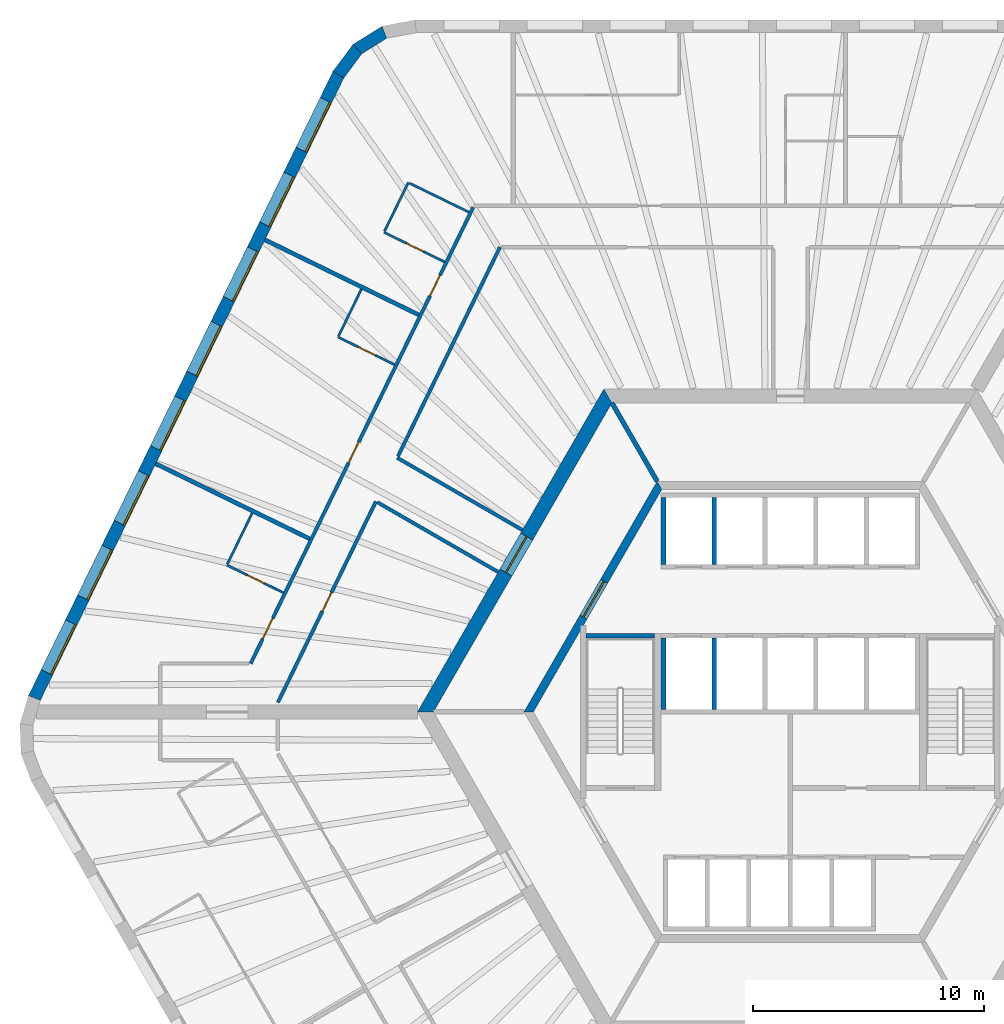
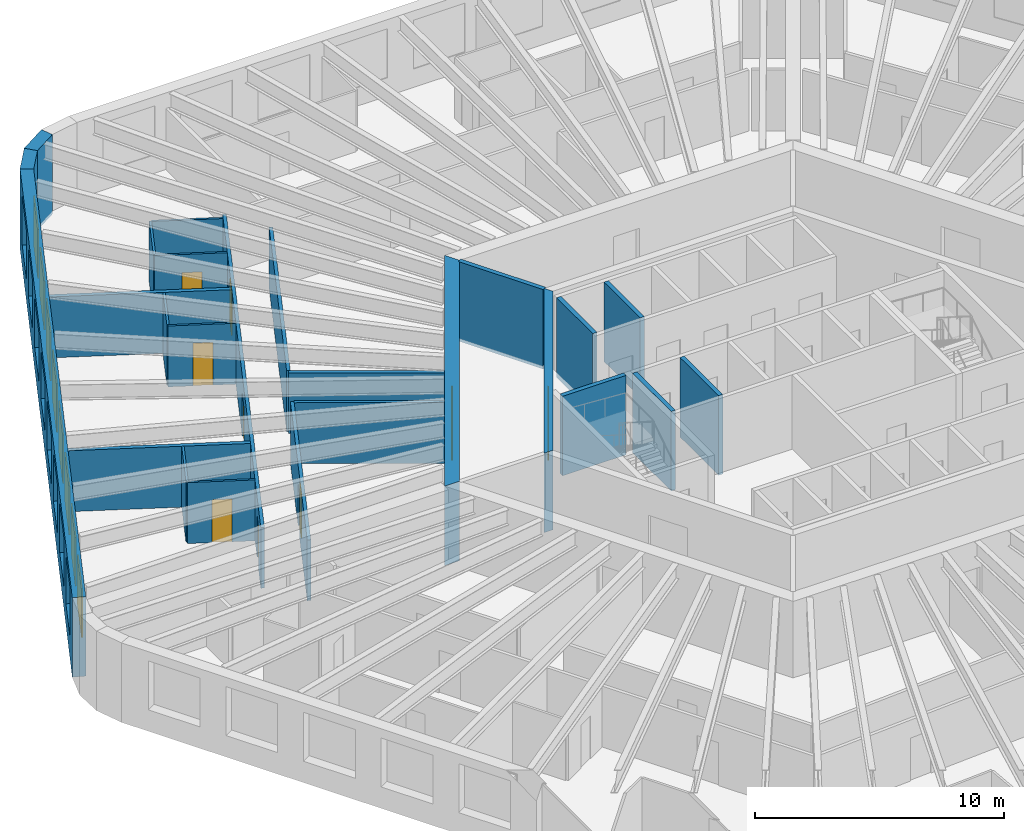
# One storey, part 7 of 12: 25 walls, 9 doors, 8 windows, 17 openings.
"""IFC4 building model written with IfcOpenShell, lengths in metres."""

from ifc_helpers import new_model, si_unit, direction, frame, frame_2d, origin, place, context, subcontext, project, spatial, polyline, rectangle, outline, extrude, material, layer, layer_set, type_object, element, fill, save


model = new_model("IFC4")

# Units and contexts
model_context = context("Model", 3, precision=1e-05, world=origin(), true_north=direction((0.0, 1.0)))
body_context = subcontext(model_context, "Body", "Model", "MODEL_VIEW")
ifc_project = project(units=[si_unit("LENGTHUNIT", "METRE"), si_unit("AREAUNIT", "SQUARE_METRE"), si_unit("VOLUMEUNIT", "CUBIC_METRE"), si_unit("PLANEANGLEUNIT", "RADIAN"), si_unit("MASSUNIT", "GRAM", prefix="KILO")], contexts=[model_context])

# Site, building, storey
site_placement = place(None, origin())
site = spatial("IfcSite", under=ifc_project, at=site_placement, CompositionType="ELEMENT")
building_placement = place(site_placement, origin())
building = spatial("IfcBuilding", under=site, at=building_placement, Name="Tarnside Tower", CompositionType="ELEMENT")
storey_placement = place(building_placement, frame((0.0, 0.0, 64.800048828125)))
storey = spatial("IfcBuildingStorey", under=building, at=storey_placement, Name="L13", CompositionType="ELEMENT", Elevation=64.800048828125)

# Wall, opening, door
ifc_material_1 = material(Name="Gypsum board partition on steel studs", Category="steel")
ifc_layer_1 = layer(ifc_material_1, 0.10009765625)
ifc_layer_set_1 = layer_set([ifc_layer_1], Name="Bathroom wall 100")
wall_type_1 = type_object("IfcWallType", Name="Bathroom wall 100", PredefinedType="PARTITIONING", material=ifc_layer_set_1)
wall_1_placement = place(storey_placement, frame((-14.98876953125, 19.51123046875, 0.0), z_axis=(0.0, 0.0, 1.0), x_axis=(-0.898790906006, 0.438377585285, 0.0)))
wall_1 = element("IfcWall", 1, at=wall_1_placement, inside=storey, type_object=wall_type_1, Name="Bathroom wall 03086", PredefinedType="PARTITIONING", context=body_context, shape_type="SweptSolid", body=[
    extrude(rectangle(XDim=2.925048828125, YDim=0.10009765625, at=frame_2d((1.46240234375, 0.0))), origin(), (0.0, 0.0, 1.0), 2.98779296875),
])
opening_1_placement = place(wall_1_placement, frame((1.02490234375, 0.0, 0.0)))
opening_1 = element("IfcOpeningElement", 2, at=opening_1_placement, cuts=wall_1, Name="Opening D-B1", PredefinedType="OPENING", context=body_context, shape_type="SweptSolid", body=[
    extrude(rectangle(XDim=0.800048828125, YDim=2.10009765625, at=frame_2d((0.39990234375, 1.050048828125))), frame((0.0, 0.06005859375, 0.0), z_axis=(0.0, -1.0, 0.0), x_axis=(1.0, 0.0, 0.0)), (0.0, 0.0, 1.0), 0.1201171875),
])
ifc_material_2 = material(Name="Timber door leaf", Category="wood")
door_type_1 = type_object("IfcDoorType", Name="Bathroom door 800", OperationType="NOTDEFINED", PredefinedType="DOOR", material=ifc_material_2)
door_1_placement = place(opening_1_placement, origin())
door_1 = element("IfcDoor", 3, at=door_1_placement, inside=storey, type_object=door_type_1, Name="Bathroom door 03008", OperationType="SINGLE_SWING_RIGHT", OverallHeight=2.10009765625, OverallWidth=0.800048828125, PredefinedType="DOOR", context=body_context, shape_type="SweptSolid", body=[
    extrude(rectangle(XDim=0.800048828125, YDim=2.10009765625, at=frame_2d((0.39990234375, 1.050048828125))), frame((0.0, 0.02490234375, 0.0), z_axis=(0.0, -1.0, 0.0), x_axis=(1.0, 0.0, 0.0)), (0.0, 0.0, 1.0), 0.050048828125),
])
fill(opening_1, door_1)

# Walls
wall_2_placement = place(storey_placement, frame((-17.595947265625, 20.83837890625, 0.0), z_axis=(0.0, 0.0, 1.0), x_axis=(0.438423632021, 0.898768445644, 0.0)))
element("IfcWall", 4, at=wall_2_placement, inside=storey, type_object=wall_type_1, Name="Bathroom wall 03087", PredefinedType="PARTITIONING", context=body_context, shape_type="SweptSolid", body=[
    extrude(rectangle(XDim=2.349853515625, YDim=0.10009765625, at=frame_2d((1.1748046875, 0.0))), origin(), (0.0, 0.0, 1.0), 2.98779296875),
])
wall_3_placement = place(storey_placement, frame((-16.520751953125, 22.9287109375, 0.0), z_axis=(0.0, 0.0, 1.0), x_axis=(0.898765997266, -0.438428651161, 0.0)))
element("IfcWall", 5, at=wall_3_placement, inside=storey, type_object=wall_type_1, Name="Bathroom wall 03088", PredefinedType="PARTITIONING", context=body_context, shape_type="SweptSolid", body=[
    extrude(rectangle(XDim=2.875, YDim=0.10009765625, at=frame_2d((1.4375, 0.0))), origin(), (0.0, 0.0, 1.0), 2.98779296875),
])

# Wall, opening, door
wall_4_placement = place(storey_placement, frame((-17.160888671875, 15.057861328125, 0.0), z_axis=(0.0, 0.0, 1.0), x_axis=(-0.898791692788, 0.43837597217, 0.0)))
wall_4 = element("IfcWall", 6, at=wall_4_placement, inside=storey, type_object=wall_type_1, Name="Bathroom wall 03091", PredefinedType="PARTITIONING", context=body_context, shape_type="SweptSolid", body=[
    extrude(rectangle(XDim=2.72509765625, YDim=0.10009765625, at=frame_2d((1.362548828125, 0.0))), origin(), (0.0, 0.0, 1.0), 2.98779296875),
])
opening_2_placement = place(wall_4_placement, frame((0.925048828125, 0.0, 0.0)))
opening_2 = element("IfcOpeningElement", 7, at=opening_2_placement, cuts=wall_4, Name="Opening D-B1", PredefinedType="OPENING", context=body_context, shape_type="SweptSolid", body=[
    extrude(rectangle(XDim=0.800048828125, YDim=2.10009765625, at=frame_2d((0.39990234375, 1.050048828125))), frame((0.0, 0.06005859375, 0.0), z_axis=(0.0, -1.0, 0.0), x_axis=(1.0, 0.0, 0.0)), (0.0, 0.0, 1.0), 0.1201171875),
])
door_2_placement = place(opening_2_placement, origin())
door_2 = element("IfcDoor", 8, at=door_2_placement, inside=storey, type_object=door_type_1, Name="Bathroom door 03010", OperationType="SINGLE_SWING_RIGHT", OverallHeight=2.10009765625, OverallWidth=0.800048828125, PredefinedType="DOOR", context=body_context, shape_type="SweptSolid", body=[
    extrude(rectangle(XDim=0.800048828125, YDim=2.10009765625, at=frame_2d((0.39990234375, 1.050048828125))), frame((0.0, 0.02490234375, 0.0), z_axis=(0.0, -1.0, 0.0), x_axis=(1.0, 0.0, 0.0)), (0.0, 0.0, 1.0), 0.050048828125),
])
fill(opening_2, door_2)

# Wall
wall_5_placement = place(storey_placement, frame((-19.588134765625, 16.29736328125, 0.0), z_axis=(0.0, 0.0, 1.0), x_axis=(0.438376807268, 0.898791285477, 0.0)))
element("IfcWall", 9, at=wall_5_placement, inside=storey, type_object=wall_type_1, Name="Bathroom wall 03092", PredefinedType="PARTITIONING", context=body_context, shape_type="SweptSolid", body=[
    extrude(rectangle(XDim=2.260009765625, YDim=0.10009765625, at=frame_2d((1.1298828125, 0.0))), origin(), (0.0, 0.0, 1.0), 2.98779296875),
])

# Wall, opening, door
wall_6_placement = place(storey_placement, frame((-21.98291015625, 5.171142578125, 0.0), z_axis=(0.0, 0.0, 1.0), x_axis=(-0.898791692788, 0.43837597217, 0.0)))
wall_6 = element("IfcWall", 10, at=wall_6_placement, inside=storey, type_object=wall_type_1, Name="Bathroom wall 03095", PredefinedType="PARTITIONING", context=body_context, shape_type="SweptSolid", body=[
    extrude(rectangle(XDim=2.72509765625, YDim=0.10009765625, at=frame_2d((1.362548828125, 0.0))), origin(), (0.0, 0.0, 1.0), 2.98779296875),
])
opening_3_placement = place(wall_6_placement, frame((0.925048828125, 0.0, 0.0)))
opening_3 = element("IfcOpeningElement", 11, at=opening_3_placement, cuts=wall_6, Name="Opening D-B1", PredefinedType="OPENING", context=body_context, shape_type="SweptSolid", body=[
    extrude(rectangle(XDim=0.800048828125, YDim=2.10009765625, at=frame_2d((0.39990234375, 1.050048828125))), frame((0.0, 0.06005859375, 0.0), z_axis=(0.0, -1.0, 0.0), x_axis=(1.0, 0.0, 0.0)), (0.0, 0.0, 1.0), 0.1201171875),
])
door_3_placement = place(opening_3_placement, origin())
door_3 = element("IfcDoor", 12, at=door_3_placement, inside=storey, type_object=door_type_1, Name="Bathroom door 03012", OperationType="SINGLE_SWING_RIGHT", OverallHeight=2.10009765625, OverallWidth=0.800048828125, PredefinedType="DOOR", context=body_context, shape_type="SweptSolid", body=[
    extrude(rectangle(XDim=0.800048828125, YDim=2.10009765625, at=frame_2d((0.39990234375, 1.050048828125))), frame((0.0, 0.02490234375, 0.0), z_axis=(0.0, -1.0, 0.0), x_axis=(1.0, 0.0, 0.0)), (0.0, 0.0, 1.0), 0.050048828125),
])
fill(opening_3, door_3)

# Wall
wall_7_placement = place(storey_placement, frame((-24.41015625, 6.41064453125, 0.0), z_axis=(0.0, 0.0, 1.0), x_axis=(0.438378657462, 0.89879038306, 0.0)))
element("IfcWall", 13, at=wall_7_placement, inside=storey, type_object=wall_type_1, Name="Bathroom wall 03096", PredefinedType="PARTITIONING", context=body_context, shape_type="SweptSolid", body=[
    extrude(rectangle(XDim=2.4599609375, YDim=0.10009765625, at=frame_2d((1.22998046875, 0.0))), origin(), (0.0, 0.0, 1.0), 2.98779296875),
])

# Wall, opening, door
ifc_material_3 = material(Name="Concrete C50/60", Category="concrete")
ifc_layer_2 = layer(ifc_material_3, 0.35009765625)
ifc_layer_set_2 = layer_set([ifc_layer_2], Name="Core block wall 350 C50/60")
wall_type_2 = type_object("IfcWallType", Name="Core block wall 350 C50/60", PredefinedType="SHEAR", material=ifc_layer_set_2)
wall_8_placement = place(storey_placement, frame((-5.672607421875, 9.824951171875, -0.150146484375), z_axis=(0.0, 0.0, 1.0), x_axis=(-0.499995046907, -0.866028263435, 0.0)))
wall_8 = element("IfcWall", 14, at=wall_8_placement, inside=storey, type_object=wall_type_2, Name="L13 core block wall face 2", PredefinedType="SHEAR", context=body_context, shape_type="SweptSolid", body=[
    extrude(outline(polyline([(-0.10107421875, -0.175048828125), (11.44580078125, -0.175048828125), (11.24365234375, 0.175048828125), (0.10107421875, 0.175048828125), (-0.10107421875, -0.175048828125)])), origin(), (0.0, 0.0, 1.0), 3.900146484375),
])
opening_4_placement = place(wall_8_placement, frame((4.80126953125, 0.0, 0.14990234375)))
opening_4 = element("IfcOpeningElement", 15, at=opening_4_placement, cuts=wall_8, Name="Opening CD-LOB", PredefinedType="OPENING", context=body_context, shape_type="SweptSolid", body=[
    extrude(rectangle(XDim=1.800048828125, YDim=2.39990234375, at=frame_2d((0.89990234375, 1.199951171875))), frame((0.0, 0.18505859375, 0.0), z_axis=(0.0, -1.0, 0.0), x_axis=(1.0, 0.0, 0.0)), (0.0, 0.0, 1.0), 0.3701171875),
])
ifc_material_4 = material(Name="Steel fire door", Category="steel")
door_type_2 = type_object("IfcDoorType", Name="Lobby double door FD30S 1800x2400", OperationType="NOTDEFINED", PredefinedType="DOOR", material=ifc_material_4)
door_4_placement = place(opening_4_placement, origin())
door_4 = element("IfcDoor", 16, at=door_4_placement, inside=storey, type_object=door_type_2, Name="L13 lobby block door P1", OperationType="DOUBLE_DOOR_SINGLE_SWING", OverallHeight=2.39990234375, OverallWidth=1.800048828125, PredefinedType="DOOR", context=body_context, shape_type="SweptSolid", body=[
    extrude(rectangle(XDim=1.800048828125, YDim=2.39990234375, at=frame_2d((0.89990234375, 1.199951171875))), frame((0.0, 0.02490234375, 0.0), z_axis=(0.0, -1.0, 0.0), x_axis=(1.0, 0.0, 0.0)), (0.0, 0.0, 1.0), 0.050048828125),
])
fill(opening_4, door_4)

ifc_material_5 = material(Name="Concrete C80/95", Category="concrete")
ifc_layer_3 = layer(ifc_material_5, 0.60009765625)
ifc_layer_set_3 = layer_set([ifc_layer_3], Name="Core wall Z1 600 C80/95")
wall_type_3 = type_object("IfcWallType", Name="Core wall Z1 600 C80/95", PredefinedType="SHEAR", material=ifc_layer_set_3)
wall_9_placement = place(storey_placement, frame((-7.90966796875, 13.699951171875, -0.150146484375), z_axis=(0.0, 0.0, 1.0), x_axis=(-0.499999880136, -0.866025472988, 0.0)))
wall_9 = element("IfcWall", 17, at=wall_9_placement, inside=storey, type_object=wall_type_3, Name="L13 core wall face 2", PredefinedType="SHEAR", context=body_context, shape_type="SweptSolid", body=[
    extrude(outline(polyline([(-0.17333984375, -0.300048828125), (15.99267578125, -0.300048828125), (15.64599609375, 0.300048828125), (0.17333984375, 0.300048828125), (-0.17333984375, -0.300048828125)])), origin(), (0.0, 0.0, 1.0), 3.900146484375),
])
opening_5_placement = place(wall_9_placement, frame((7.03857421875, 0.0, 0.14990234375)))
opening_5 = element("IfcOpeningElement", 18, at=opening_5_placement, cuts=wall_9, Name="Opening CD-LOB", PredefinedType="OPENING", context=body_context, shape_type="SweptSolid", body=[
    extrude(rectangle(XDim=1.800048828125, YDim=2.39990234375, at=frame_2d((0.89990234375, 1.199951171875))), frame((0.0, 0.31005859375, 0.0), z_axis=(0.0, -1.0, 0.0), x_axis=(1.0, 0.0, 0.0)), (0.0, 0.0, 1.0), 0.6201171875),
])
door_5_placement = place(opening_5_placement, origin())
door_5 = element("IfcDoor", 19, at=door_5_placement, inside=storey, type_object=door_type_2, Name="L13 core door P1", OperationType="DOUBLE_DOOR_SINGLE_SWING", OverallHeight=2.39990234375, OverallWidth=1.800048828125, PredefinedType="DOOR", context=body_context, shape_type="SweptSolid", body=[
    extrude(rectangle(XDim=1.800048828125, YDim=2.39990234375, at=frame_2d((0.89990234375, 1.199951171875))), frame((0.0, 0.02490234375, 0.0), z_axis=(0.0, -1.0, 0.0), x_axis=(1.0, 0.0, 0.0)), (0.0, 0.0, 1.0), 0.050048828125),
])
fill(opening_5, door_5)

# Wall, openings, doors
ifc_layer_4 = layer(ifc_material_1, 0.14990234375)
ifc_layer_set_4 = layer_set([ifc_layer_4], Name="Corridor wall 150 EI 60")
wall_type_4 = type_object("IfcWallType", Name="Corridor wall 150 EI 60", PredefinedType="PARTITIONING", material=ifc_layer_set_4)
wall_10_placement = place(storey_placement, frame((-13.75244140625, 21.875, 0.0), z_axis=(0.0, 0.0, 1.0), x_axis=(-0.438376846054, -0.898791266559, 0.0)))
wall_10 = element("IfcWall", 20, at=wall_10_placement, inside=storey, type_object=wall_type_4, Name="Corridor wall 03007", PredefinedType="PARTITIONING", context=body_context, shape_type="SweptSolid", body=[
    extrude(rectangle(XDim=22.001708984375, YDim=0.14990234375, at=frame_2d((11.0009765625, 0.0))), origin(), (0.0, 0.0, 1.0), 2.98779296875),
])
opening_6_placement = place(wall_10_placement, frame((3.26904296875, 0.0, 0.0)))
opening_6 = element("IfcOpeningElement", 21, at=opening_6_placement, cuts=wall_10, Name="Opening D-E1", PredefinedType="OPENING", context=body_context, shape_type="SweptSolid", body=[
    extrude(rectangle(XDim=1.0, YDim=2.10009765625, at=frame_2d((0.5, 1.050048828125))), frame((0.0, 0.0849609375, 0.0), z_axis=(0.0, -1.0, 0.0), x_axis=(1.0, 0.0, 0.0)), (0.0, 0.0, 1.0), 0.169921875),
])
opening_7_placement = place(wall_10_placement, frame((11.3212890625, 0.0, 0.0)))
opening_7 = element("IfcOpeningElement", 22, at=opening_7_placement, cuts=wall_10, Name="Opening D-E1", PredefinedType="OPENING", context=body_context, shape_type="SweptSolid", body=[
    extrude(rectangle(XDim=1.0, YDim=2.10009765625, at=frame_2d((0.5, 1.050048828125))), frame((0.0, 0.0849609375, 0.0), z_axis=(0.0, -1.0, 0.0), x_axis=(1.0, 0.0, 0.0)), (0.0, 0.0, 1.0), 0.169921875),
])
opening_8_placement = place(wall_10_placement, frame((19.8115234375, 0.0, 0.0)))
opening_8 = element("IfcOpeningElement", 23, at=opening_8_placement, cuts=wall_10, Name="Opening D-E1", PredefinedType="OPENING", context=body_context, shape_type="SweptSolid", body=[
    extrude(rectangle(XDim=1.0, YDim=2.10009765625, at=frame_2d((0.5, 1.050048828125))), frame((0.0, 0.0849609375, 0.0), z_axis=(0.0, -1.0, 0.0), x_axis=(1.0, 0.0, 0.0)), (0.0, 0.0, 1.0), 0.169921875),
])
door_type_3 = type_object("IfcDoorType", Name="Unit entrance door 1000 FD30S", OperationType="NOTDEFINED", PredefinedType="DOOR", material=ifc_material_2)
door_6_placement = place(opening_6_placement, origin())
door_6 = element("IfcDoor", 24, at=door_6_placement, inside=storey, type_object=door_type_3, Name="Unit door 03007", OperationType="SINGLE_SWING_LEFT", OverallHeight=2.10009765625, OverallWidth=1.0, PredefinedType="DOOR", context=body_context, shape_type="SweptSolid", body=[
    extrude(rectangle(XDim=1.0, YDim=2.10009765625, at=frame_2d((0.5, 1.050048828125))), frame((0.0, 0.02490234375, 0.0), z_axis=(0.0, -1.0, 0.0), x_axis=(1.0, 0.0, 0.0)), (0.0, 0.0, 1.0), 0.050048828125),
])
fill(opening_6, door_6)
door_7_placement = place(opening_7_placement, origin())
door_7 = element("IfcDoor", 25, at=door_7_placement, inside=storey, type_object=door_type_3, Name="Unit door 03009", OperationType="SINGLE_SWING_LEFT", OverallHeight=2.10009765625, OverallWidth=1.0, PredefinedType="DOOR", context=body_context, shape_type="SweptSolid", body=[
    extrude(rectangle(XDim=1.0, YDim=2.10009765625, at=frame_2d((0.5, 1.050048828125))), frame((0.0, 0.02490234375, 0.0), z_axis=(0.0, -1.0, 0.0), x_axis=(1.0, 0.0, 0.0)), (0.0, 0.0, 1.0), 0.050048828125),
])
fill(opening_7, door_7)
door_8_placement = place(opening_8_placement, origin())
door_8 = element("IfcDoor", 26, at=door_8_placement, inside=storey, type_object=door_type_3, Name="Unit door 03011", OperationType="SINGLE_SWING_RIGHT", OverallHeight=2.10009765625, OverallWidth=1.0, PredefinedType="DOOR", context=body_context, shape_type="SweptSolid", body=[
    extrude(rectangle(XDim=1.0, YDim=2.10009765625, at=frame_2d((0.5, 1.050048828125))), frame((0.0, 0.02490234375, 0.0), z_axis=(0.0, -1.0, 0.0), x_axis=(1.0, 0.0, 0.0)), (0.0, 0.0, 1.0), 0.050048828125),
])
fill(opening_8, door_8)

# Walls
wall_11_placement = place(storey_placement, frame((-11.61376953125, 7.88427734375, 0.0), z_axis=(0.0, 0.0, 1.0), x_axis=(-0.866025438137, 0.4999999405, 0.0)))
element("IfcWall", 27, at=wall_11_placement, inside=storey, type_object=wall_type_4, Name="Corridor wall 03017", PredefinedType="PARTITIONING", context=body_context, shape_type="SweptSolid", body=[
    extrude(rectangle(XDim=6.2705078125, YDim=0.14990234375, at=frame_2d((3.13525390625, 0.0))), origin(), (0.0, 0.0, 1.0), 2.98779296875),
])
wall_12_placement = place(storey_placement, frame((-17.01123046875, 11.087158203125, 0.0), z_axis=(0.0, 0.0, 1.0), x_axis=(0.43836877185, 0.898795204631, 0.0)))
element("IfcWall", 28, at=wall_12_placement, inside=storey, type_object=wall_type_4, Name="Corridor wall 03018", PredefinedType="PARTITIONING", context=body_context, shape_type="SweptSolid", body=[
    extrude(rectangle(XDim=10.083251953125, YDim=0.14990234375, at=frame_2d((5.04150390625, 0.0))), origin(), (0.0, 0.0, 1.0), 2.98779296875),
])

# Wall, opening, door
wall_13_placement = place(storey_placement, frame((-22.218994140625, 0.41015625, 0.0), z_axis=(0.0, 0.0, 1.0), x_axis=(0.438391891827, 0.898783927972, 0.0)))
wall_13 = element("IfcWall", 29, at=wall_13_placement, inside=storey, type_object=wall_type_4, Name="Corridor wall 03024", PredefinedType="PARTITIONING", context=body_context, shape_type="SweptSolid", body=[
    extrude(rectangle(XDim=9.698974609375, YDim=0.14990234375, at=frame_2d((4.849609375, 0.0))), origin(), (0.0, 0.0, 1.0), 2.98779296875),
])
opening_9_placement = place(wall_13_placement, frame((4.399658203125, 0.0, 0.0)))
opening_9 = element("IfcOpeningElement", 30, at=opening_9_placement, cuts=wall_13, Name="Opening D-S1", PredefinedType="OPENING", context=body_context, shape_type="SweptSolid", body=[
    extrude(rectangle(XDim=0.89990234375, YDim=2.10009765625, at=frame_2d((0.449951171875, 1.050048828125))), frame((0.0, 0.0849609375, 0.0), z_axis=(0.0, -1.0, 0.0), x_axis=(1.0, 0.0, 0.0)), (0.0, 0.0, 1.0), 0.169921875),
])
door_type_4 = type_object("IfcDoorType", Name="Service room door 900 FD30S", OperationType="NOTDEFINED", PredefinedType="DOOR", material=ifc_material_2)
door_9_placement = place(opening_9_placement, origin())
door_9 = element("IfcDoor", 31, at=door_9_placement, inside=storey, type_object=door_type_4, Name="Service door 03041", OperationType="SINGLE_SWING_LEFT", OverallHeight=2.10009765625, OverallWidth=0.89990234375, PredefinedType="DOOR", context=body_context, shape_type="SweptSolid", body=[
    extrude(rectangle(XDim=0.89990234375, YDim=2.10009765625, at=frame_2d((0.449951171875, 1.050048828125))), frame((0.0, 0.02490234375, 0.0), z_axis=(0.0, -1.0, 0.0), x_axis=(1.0, 0.0, 0.0)), (0.0, 0.0, 1.0), 0.050048828125),
])
fill(opening_9, door_9)

# Walls
wall_14_placement = place(storey_placement, frame((-17.902099609375, 9.08984375, 0.0), z_axis=(0.0, 0.0, 1.0), x_axis=(0.866036368755, -0.499981007633, 0.0)))
element("IfcWall", 32, at=wall_14_placement, inside=storey, type_object=wall_type_4, Name="Corridor wall 03025", PredefinedType="PARTITIONING", context=body_context, shape_type="SweptSolid", body=[
    extrude(rectangle(XDim=6.048583984375, YDim=0.14990234375, at=frame_2d((3.0244140625, 0.0))), origin(), (0.0, 0.0, 1.0), 2.98779296875),
])
ifc_layer_5 = layer(ifc_material_1, 0.179931640625)
ifc_layer_set_5 = layer_set([ifc_layer_5], Name="Demising wall 180 EI 60")
wall_type_5 = type_object("IfcWallType", Name="Demising wall 180 EI 60", PredefinedType="PARTITIONING", material=ifc_layer_set_5)
wall_15_placement = place(storey_placement, frame((-22.7822265625, 20.469970703125, 0.0), z_axis=(0.0, 0.0, 1.0), x_axis=(0.898783297359, -0.438393184697, 0.0)))
element("IfcWall", 33, at=wall_15_placement, inside=storey, type_object=wall_type_5, Name="Demising wall 03089", PredefinedType="PARTITIONING", context=body_context, shape_type="SweptSolid", body=[
    extrude(rectangle(XDim=7.425048828125, YDim=0.179931640625, at=frame_2d((3.71240234375, 0.0))), origin(), (0.0, 0.0, 1.0), 2.98779296875),
])
wall_16_placement = place(storey_placement, frame((-27.5166015625, 10.762939453125, 0.0), z_axis=(0.0, 0.0, 1.0), x_axis=(0.898789933843, -0.438379578473, 0.0)))
element("IfcWall", 34, at=wall_16_placement, inside=storey, type_object=wall_type_5, Name="Demising wall 03093", PredefinedType="PARTITIONING", context=body_context, shape_type="SweptSolid", body=[
    extrude(rectangle(XDim=7.4248046875, YDim=0.179931640625, at=frame_2d((3.71240234375, 0.0))), origin(), (0.0, 0.0, 1.0), 2.98779296875),
])
ifc_material_6 = material(Name="Concrete C40/50", Category="concrete")
ifc_layer_6 = layer(ifc_material_6, 0.199951171875)
ifc_layer_set_6 = layer_set([ifc_layer_6], Name="Lift shaft wall 200 C40/50")
wall_type_6 = type_object("IfcWallType", Name="Lift shaft wall 200 C40/50", PredefinedType="SHEAR", material=ifc_layer_set_6)
for number, where, z_axis, x_axis, name in (
    (35, (-5.5, 6.39990234375, -0.25), (0.0, 0.0, 1.0), (0.0, 1.0, 0.0), "L13 lift shaft partition R11"),
    (36, (-3.300048828125, 6.39990234375, -0.25), (0.0, 0.0, 1.0), (0.0, 1.0, 0.0), "L13 lift shaft partition R12"),
):
    element("IfcWall", number, at=place(storey_placement, frame(where, z_axis=z_axis, x_axis=x_axis)), inside=storey, type_object=wall_type_6, Name=name, PredefinedType="SHEAR", context=body_context, shape_type="SweptSolid", body=[
        extrude(rectangle(XDim=2.900146484375, YDim=0.199951171875, at=frame_2d((1.4501953125, 0.0))), origin(), (0.0, 0.0, 1.0), 3.89990234375),
    ])
for number, where, z_axis, x_axis, name in (
    (37, (-5.5, 0.10009765625, -0.25), (0.0, 0.0, 1.0), (0.0, 1.0, 0.0), "L13 lift shaft partition R21"),
    (38, (-3.300048828125, 0.10009765625, -0.25), (0.0, 0.0, 1.0), (0.0, 1.0, 0.0), "L13 lift shaft partition R22"),
):
    element("IfcWall", number, at=place(storey_placement, frame(where, z_axis=z_axis, x_axis=x_axis)), inside=storey, type_object=wall_type_6, Name=name, PredefinedType="SHEAR", context=body_context, shape_type="SweptSolid", body=[
        extrude(rectangle(XDim=3.099853515625, YDim=0.199951171875, at=frame_2d((1.5498046875, 0.0))), origin(), (0.0, 0.0, 1.0), 3.89990234375),
    ])
wall_17_placement = place(storey_placement, frame((-5.7734375, 10.0, -0.150146484375), z_axis=(0.0, 0.0, 1.0), x_axis=(-0.500038251005, 0.86600331843, 0.0)))
element("IfcWall", 39, at=wall_17_placement, inside=storey, type_object=wall_type_6, Name="L13 core partition AR120", PredefinedType="SHEAR", context=body_context, shape_type="SweptSolid", body=[
    extrude(rectangle(XDim=3.926025390625, YDim=0.199951171875, at=frame_2d((1.962890625, 0.0))), origin(), (0.0, 0.0, 1.0), 3.900146484375),
])
wall_18_placement = place(storey_placement, frame((-8.85009765625, 3.300048828125, -0.25), z_axis=(0.0, 0.0, 1.0), x_axis=(1.0, 0.0, 0.0)))
element("IfcWall", 40, at=wall_18_placement, inside=storey, type_object=wall_type_6, Name="L13 stair 2 enclosure cap wall n", PredefinedType="SHEAR", context=body_context, shape_type="SweptSolid", body=[
    extrude(rectangle(XDim=2.9501953125, YDim=0.199951171875, at=frame_2d((1.47509765625, 0.0))), origin(), (0.0, 0.0, 1.0), 3.89990234375),
])
ifc_material_7 = material(Name="Facing brick", Category="masonry")
ifc_layer_7 = layer(ifc_material_7, 0.10205078125)
ifc_material_8 = material(Name="Concrete C60/75 precast", Category="concrete")
ifc_layer_8 = layer(ifc_material_8, 0.347900390625)
ifc_material_9 = material(Name="Mineral wool insulation")
ifc_layer_9 = layer(ifc_material_9, 0.10009765625)
ifc_layer_set_7 = layer_set([ifc_layer_7, ifc_layer_8, ifc_layer_9], Name="Tube wall 550 brick faced")
wall_type_7 = type_object("IfcWallType", Name="Tube wall 550 brick faced", PredefinedType="SOLIDWALL", material=ifc_layer_set_7)
wall_19_placement = place(storey_placement, frame((-17.601806640625, 29.4697265625, -0.150146484375), z_axis=(0.0, 0.0, 1.0), x_axis=(-0.848057977594, -0.5299034503, 0.0)))
element("IfcWall", 41, at=wall_19_placement, inside=storey, type_object=wall_type_7, Name="Tube wall L13 F1 chord 02", PredefinedType="SOLIDWALL", context=body_context, shape_type="SweptSolid", body=[
    extrude(outline(polyline([(-0.0517578125, -0.27490234375), (1.4306640625, -0.27490234375), (1.3271484375, 0.27490234375), (0.0517578125, 0.27490234375), (-0.0517578125, -0.27490234375)])), origin(), (0.0, 0.0, 1.0), 3.900146484375),
])
wall_20_placement = place(storey_placement, frame((-18.771240234375, 28.739013671875, -0.150146484375), z_axis=(0.0, 0.0, 1.0), x_axis=(-0.597135295884, -0.802140535324, 0.0)))
element("IfcWall", 42, at=wall_20_placement, inside=storey, type_object=wall_type_7, Name="Tube wall L13 F1 chord 03", PredefinedType="SOLIDWALL", context=body_context, shape_type="SweptSolid", body=[
    extrude(outline(polyline([(-0.0517578125, -0.27490234375), (1.40478515625, -0.27490234375), (1.353515625, 0.27490234375), (0.0517578125, 0.27490234375), (-0.0517578125, -0.27490234375)])), origin(), (0.0, 0.0, 1.0), 3.900146484375),
])

# Wall, openings, windows
wall_21_placement = place(storey_placement, frame((-19.5947265625, 27.6328125, -0.150146484375), z_axis=(0.0, 0.0, 1.0), x_axis=(-0.438368285794, -0.898795441694, 0.0)))
wall_21 = element("IfcWall", 43, at=wall_21_placement, inside=storey, type_object=wall_type_7, Name="Tube wall L13 F2 flush 04", PredefinedType="SOLIDWALL", context=body_context, shape_type="SweptSolid", body=[
    extrude(outline(polyline([(-0.025634765625, -0.27490234375), (30.09326171875, -0.27490234375), (30.04833984375, 0.27490234375), (0.025634765625, 0.27490234375), (-0.025634765625, -0.27490234375)])), origin(), (0.0, 0.0, 1.0), 3.900146484375),
])
opening_10_placement = place(wall_21_placement, frame((1.235595703125, 0.0, 1.050048828125)))
opening_10 = element("IfcOpeningElement", 44, at=opening_10_placement, cuts=wall_21, Name="Opening WH", PredefinedType="OPENING", context=body_context, shape_type="SweptSolid", body=[
    extrude(rectangle(XDim=2.39990234375, YDim=2.39990234375, at=frame_2d((1.199951171875, 1.199951171875))), frame((0.0, 0.28515625, 0.0), z_axis=(0.0, -1.0, 0.0), x_axis=(1.0, 0.0, 0.0)), (0.0, 0.0, 1.0), 0.570068359375),
])
opening_11_placement = place(wall_21_placement, frame((4.83544921875, 0.0, 1.050048828125)))
opening_11 = element("IfcOpeningElement", 45, at=opening_11_placement, cuts=wall_21, Name="Opening WH", PredefinedType="OPENING", context=body_context, shape_type="SweptSolid", body=[
    extrude(rectangle(XDim=2.39990234375, YDim=2.39990234375, at=frame_2d((1.199951171875, 1.199951171875))), frame((0.0, 0.28515625, 0.0), z_axis=(0.0, -1.0, 0.0), x_axis=(1.0, 0.0, 0.0)), (0.0, 0.0, 1.0), 0.570068359375),
])
opening_12_placement = place(wall_21_placement, frame((8.435546875, 0.0, 1.050048828125)))
opening_12 = element("IfcOpeningElement", 46, at=opening_12_placement, cuts=wall_21, Name="Opening WH", PredefinedType="OPENING", context=body_context, shape_type="SweptSolid", body=[
    extrude(rectangle(XDim=2.39990234375, YDim=2.39990234375, at=frame_2d((1.199951171875, 1.199951171875))), frame((0.0, 0.28515625, 0.0), z_axis=(0.0, -1.0, 0.0), x_axis=(1.0, 0.0, 0.0)), (0.0, 0.0, 1.0), 0.570068359375),
])
opening_13_placement = place(wall_21_placement, frame((12.035400390625, 0.0, 1.050048828125)))
opening_13 = element("IfcOpeningElement", 47, at=opening_13_placement, cuts=wall_21, Name="Opening WH", PredefinedType="OPENING", context=body_context, shape_type="SweptSolid", body=[
    extrude(rectangle(XDim=2.39990234375, YDim=2.39990234375, at=frame_2d((1.199951171875, 1.199951171875))), frame((0.0, 0.28515625, 0.0), z_axis=(0.0, -1.0, 0.0), x_axis=(1.0, 0.0, 0.0)), (0.0, 0.0, 1.0), 0.570068359375),
])
opening_14_placement = place(wall_21_placement, frame((15.635498046875, 0.0, 1.050048828125)))
opening_14 = element("IfcOpeningElement", 48, at=opening_14_placement, cuts=wall_21, Name="Opening WH", PredefinedType="OPENING", context=body_context, shape_type="SweptSolid", body=[
    extrude(rectangle(XDim=2.39990234375, YDim=2.39990234375, at=frame_2d((1.199951171875, 1.199951171875))), frame((0.0, 0.28515625, 0.0), z_axis=(0.0, -1.0, 0.0), x_axis=(1.0, 0.0, 0.0)), (0.0, 0.0, 1.0), 0.570068359375),
])
opening_15_placement = place(wall_21_placement, frame((19.235595703125, 0.0, 1.050048828125)))
opening_15 = element("IfcOpeningElement", 49, at=opening_15_placement, cuts=wall_21, Name="Opening WH", PredefinedType="OPENING", context=body_context, shape_type="SweptSolid", body=[
    extrude(rectangle(XDim=2.39990234375, YDim=2.39990234375, at=frame_2d((1.199951171875, 1.199951171875))), frame((0.0, 0.28515625, 0.0), z_axis=(0.0, -1.0, 0.0), x_axis=(1.0, 0.0, 0.0)), (0.0, 0.0, 1.0), 0.570068359375),
])
opening_16_placement = place(wall_21_placement, frame((22.83544921875, 0.0, 1.050048828125)))
opening_16 = element("IfcOpeningElement", 50, at=opening_16_placement, cuts=wall_21, Name="Opening WH", PredefinedType="OPENING", context=body_context, shape_type="SweptSolid", body=[
    extrude(rectangle(XDim=2.39990234375, YDim=2.39990234375, at=frame_2d((1.199951171875, 1.199951171875))), frame((0.0, 0.28515625, 0.0), z_axis=(0.0, -1.0, 0.0), x_axis=(1.0, 0.0, 0.0)), (0.0, 0.0, 1.0), 0.570068359375),
])
opening_17_placement = place(wall_21_placement, frame((26.435546875, 0.0, 1.050048828125)))
opening_17 = element("IfcOpeningElement", 51, at=opening_17_placement, cuts=wall_21, Name="Opening WH", PredefinedType="OPENING", context=body_context, shape_type="SweptSolid", body=[
    extrude(rectangle(XDim=2.39990234375, YDim=2.39990234375, at=frame_2d((1.199951171875, 1.199951171875))), frame((0.0, 0.28515625, 0.0), z_axis=(0.0, -1.0, 0.0), x_axis=(1.0, 0.0, 0.0)), (0.0, 0.0, 1.0), 0.570068359375),
])
ifc_material_10 = material(Name="Aluminium-framed double glazing", Category="aluminium")
window_type = type_object("IfcWindowType", Name="Hotel window 2400 x 2400", PartitioningType="DOUBLE_PANEL_VERTICAL", PredefinedType="WINDOW", material=ifc_material_10)
window_1_placement = place(opening_10_placement, frame((0.0, 0.205078125, 0.0)))
window_1 = element("IfcWindow", 52, at=window_1_placement, inside=storey, type_object=window_type, Name="E.WN.L13.F2.00", OverallHeight=2.39990234375, OverallWidth=2.39990234375, PartitioningType="DOUBLE_PANEL_VERTICAL", PredefinedType="WINDOW", context=body_context, shape_type="SweptSolid", body=[
    extrude(rectangle(XDim=2.39990234375, YDim=2.39990234375, at=frame_2d((1.199951171875, 1.199951171875))), frame((0.0, 0.030029296875, 0.0), z_axis=(0.0, -1.0, 0.0), x_axis=(1.0, 0.0, 0.0)), (0.0, 0.0, 1.0), 0.06005859375),
])
fill(opening_10, window_1)
window_2_placement = place(opening_11_placement, frame((0.0, 0.205078125, 0.0)))
window_2 = element("IfcWindow", 53, at=window_2_placement, inside=storey, type_object=window_type, Name="E.WN.L13.F2.01", OverallHeight=2.39990234375, OverallWidth=2.39990234375, PartitioningType="DOUBLE_PANEL_VERTICAL", PredefinedType="WINDOW", context=body_context, shape_type="SweptSolid", body=[
    extrude(rectangle(XDim=2.39990234375, YDim=2.39990234375, at=frame_2d((1.199951171875, 1.199951171875))), frame((0.0, 0.030029296875, 0.0), z_axis=(0.0, -1.0, 0.0), x_axis=(1.0, 0.0, 0.0)), (0.0, 0.0, 1.0), 0.06005859375),
])
fill(opening_11, window_2)
window_3_placement = place(opening_12_placement, frame((0.0, 0.205078125, 0.0)))
window_3 = element("IfcWindow", 54, at=window_3_placement, inside=storey, type_object=window_type, Name="E.WN.L13.F2.02", OverallHeight=2.39990234375, OverallWidth=2.39990234375, PartitioningType="DOUBLE_PANEL_VERTICAL", PredefinedType="WINDOW", context=body_context, shape_type="SweptSolid", body=[
    extrude(rectangle(XDim=2.39990234375, YDim=2.39990234375, at=frame_2d((1.199951171875, 1.199951171875))), frame((0.0, 0.030029296875, 0.0), z_axis=(0.0, -1.0, 0.0), x_axis=(1.0, 0.0, 0.0)), (0.0, 0.0, 1.0), 0.06005859375),
])
fill(opening_12, window_3)
window_4_placement = place(opening_13_placement, frame((0.0, 0.205078125, 0.0)))
window_4 = element("IfcWindow", 55, at=window_4_placement, inside=storey, type_object=window_type, Name="E.WN.L13.F2.03", OverallHeight=2.39990234375, OverallWidth=2.39990234375, PartitioningType="DOUBLE_PANEL_VERTICAL", PredefinedType="WINDOW", context=body_context, shape_type="SweptSolid", body=[
    extrude(rectangle(XDim=2.39990234375, YDim=2.39990234375, at=frame_2d((1.199951171875, 1.199951171875))), frame((0.0, 0.030029296875, 0.0), z_axis=(0.0, -1.0, 0.0), x_axis=(1.0, 0.0, 0.0)), (0.0, 0.0, 1.0), 0.06005859375),
])
fill(opening_13, window_4)
window_5_placement = place(opening_14_placement, frame((0.0, 0.205078125, 0.0)))
window_5 = element("IfcWindow", 56, at=window_5_placement, inside=storey, type_object=window_type, Name="E.WN.L13.F2.04", OverallHeight=2.39990234375, OverallWidth=2.39990234375, PartitioningType="DOUBLE_PANEL_VERTICAL", PredefinedType="WINDOW", context=body_context, shape_type="SweptSolid", body=[
    extrude(rectangle(XDim=2.39990234375, YDim=2.39990234375, at=frame_2d((1.199951171875, 1.199951171875))), frame((0.0, 0.030029296875, 0.0), z_axis=(0.0, -1.0, 0.0), x_axis=(1.0, 0.0, 0.0)), (0.0, 0.0, 1.0), 0.06005859375),
])
fill(opening_14, window_5)
window_6_placement = place(opening_15_placement, frame((0.0, 0.205078125, 0.0)))
window_6 = element("IfcWindow", 57, at=window_6_placement, inside=storey, type_object=window_type, Name="E.WN.L13.F2.05", OverallHeight=2.39990234375, OverallWidth=2.39990234375, PartitioningType="DOUBLE_PANEL_VERTICAL", PredefinedType="WINDOW", context=body_context, shape_type="SweptSolid", body=[
    extrude(rectangle(XDim=2.39990234375, YDim=2.39990234375, at=frame_2d((1.199951171875, 1.199951171875))), frame((0.0, 0.030029296875, 0.0), z_axis=(0.0, -1.0, 0.0), x_axis=(1.0, 0.0, 0.0)), (0.0, 0.0, 1.0), 0.06005859375),
])
fill(opening_15, window_6)
window_7_placement = place(opening_16_placement, frame((0.0, 0.205078125, 0.0)))
window_7 = element("IfcWindow", 58, at=window_7_placement, inside=storey, type_object=window_type, Name="E.WN.L13.F2.06", OverallHeight=2.39990234375, OverallWidth=2.39990234375, PartitioningType="DOUBLE_PANEL_VERTICAL", PredefinedType="WINDOW", context=body_context, shape_type="SweptSolid", body=[
    extrude(rectangle(XDim=2.39990234375, YDim=2.39990234375, at=frame_2d((1.199951171875, 1.199951171875))), frame((0.0, 0.030029296875, 0.0), z_axis=(0.0, -1.0, 0.0), x_axis=(1.0, 0.0, 0.0)), (0.0, 0.0, 1.0), 0.06005859375),
])
fill(opening_16, window_7)
window_8_placement = place(opening_17_placement, frame((0.0, 0.205078125, 0.0)))
window_8 = element("IfcWindow", 59, at=window_8_placement, inside=storey, type_object=window_type, Name="E.WN.L13.F2.07", OverallHeight=2.39990234375, OverallWidth=2.39990234375, PartitioningType="DOUBLE_PANEL_VERTICAL", PredefinedType="WINDOW", context=body_context, shape_type="SweptSolid", body=[
    extrude(rectangle(XDim=2.39990234375, YDim=2.39990234375, at=frame_2d((1.199951171875, 1.199951171875))), frame((0.0, 0.030029296875, 0.0), z_axis=(0.0, -1.0, 0.0), x_axis=(1.0, 0.0, 0.0)), (0.0, 0.0, 1.0), 0.06005859375),
])
fill(opening_17, window_8)

save(model, "model.ifc")
